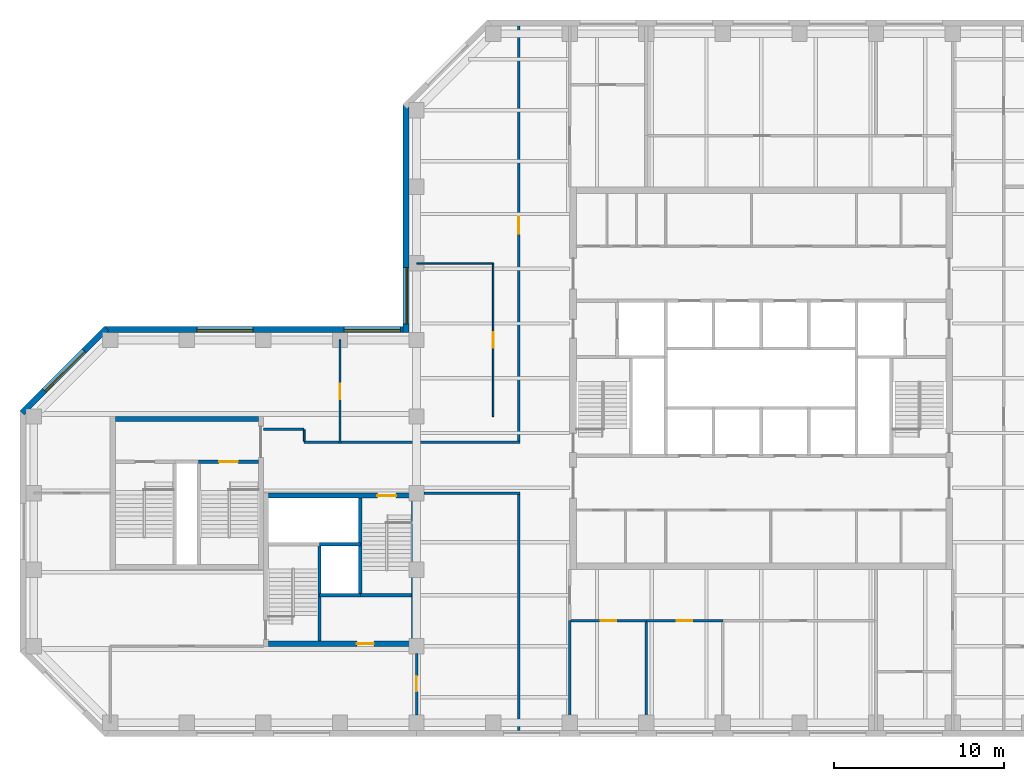
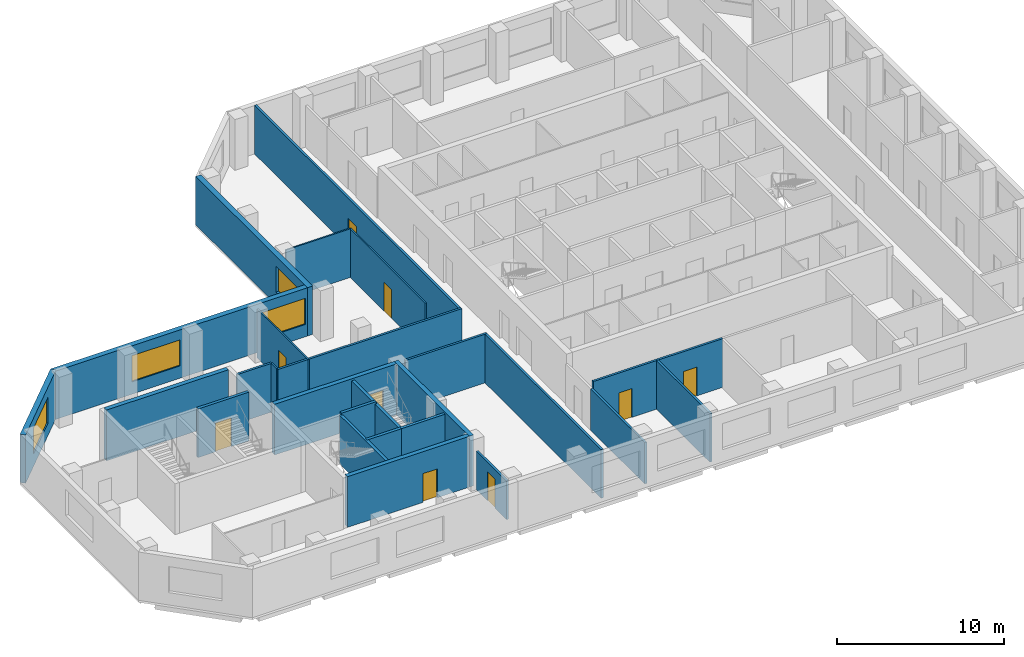
# One storey, part 3 of 9: 27 walls, 9 doors, 4 windows, 13 openings.
"""IFC4 building model written with IfcOpenShell, lengths in metres."""

from ifc_helpers import new_model, si_unit, direction, frame, frame_2d, origin, place, context, subcontext, project, spatial, rectangle, extrude, material, layer, layer_set, constituent, constituent_set, type_object, element, fill, save


model = new_model("IFC4")

# Units and contexts
model_context = context("Model", 3, precision=1e-05, world=origin(), true_north=direction((0.0, 1.0)))
body_context = subcontext(model_context, "Body", "Model", "MODEL_VIEW")
ifc_project = project(units=[si_unit("LENGTHUNIT", "METRE"), si_unit("AREAUNIT", "SQUARE_METRE"), si_unit("VOLUMEUNIT", "CUBIC_METRE"), si_unit("PLANEANGLEUNIT", "RADIAN"), si_unit("MASSUNIT", "GRAM", prefix="KILO")], contexts=[model_context])

# Site, building, storey
site_placement = place(None, origin())
site = spatial("IfcSite", under=ifc_project, at=site_placement, CompositionType="ELEMENT")
building_placement = place(site_placement, origin())
building = spatial("IfcBuilding", under=site, at=building_placement, Name="Quoin Convention Tower", CompositionType="ELEMENT")
storey_placement = place(building_placement, frame((0.0, 0.0, 177.300048828125)))
storey = spatial("IfcBuildingStorey", under=building, at=storey_placement, Name="L46", CompositionType="ELEMENT", Elevation=177.300048828125)

# Wall, opening, door
ifc_material_1 = material(Name="Plasterboard")
ifc_layer_1 = layer(ifc_material_1, 0.012451171875, Name="Finish")
ifc_material_2 = material(Name="Steel stud framing", Category="steel")
ifc_layer_2 = layer(ifc_material_2, 0.125, Name="Structure")
ifc_layer_3 = layer(ifc_material_1, 0.012451171875, Name="Finish")
ifc_layer_set_1 = layer_set([ifc_layer_1, ifc_layer_2, ifc_layer_3], Name="Steel stud framing")
wall_type_1 = type_object("IfcWallType", Name="Acoustic partition 150", PredefinedType="PARTITIONING", material=ifc_layer_set_1)
wall_1_placement = place(storey_placement, frame((45.074951171875, 46.5, 0.0), z_axis=(0.0, 0.0, 1.0), x_axis=(1.0, 0.0, 0.0)))
wall_1 = element("IfcWall", 1, at=wall_1_placement, inside=storey, type_object=wall_type_1, Name="pw-L46-004", PredefinedType="PARTITIONING", context=body_context, shape_type="SweptSolid", body=[
    extrude(rectangle(XDim=4.425048828125, YDim=0.14990234375, at=frame_2d((2.21240234375, 0.0))), origin(), (0.0, 0.0, 1.0), 3.550048828125),
])
opening_1_placement = place(wall_1_placement, frame((1.75, 0.0, 0.0)))
opening_1 = element("IfcOpeningElement", 2, at=opening_1_placement, cuts=wall_1, Name="Opening DOH5-03", PredefinedType="OPENING", context=body_context, shape_type="SweptSolid", body=[
    extrude(rectangle(XDim=0.89990234375, YDim=2.10009765625, at=frame_2d((0.449951171875, 1.050048828125))), frame((0.0, 0.0849609375, 0.0), z_axis=(0.0, -1.0, 0.0), x_axis=(1.0, 0.0, 0.0)), (0.0, 0.0, 1.0), 0.169921875),
])
ifc_material_3 = material(Name="Steel door leaf", Category="steel")
door_type_1 = type_object("IfcDoorType", Name="Office door 900 x 2100", OperationType="SINGLE_SWING_RIGHT", PredefinedType="DOOR", material=ifc_material_3)
door_1_placement = place(opening_1_placement, frame((0.89990234375, 0.0, 0.0), z_axis=(0.0, 0.0, 1.0), x_axis=(-1.0, 0.0, 0.0)))
door_1 = element("IfcDoor", 3, at=door_1_placement, inside=storey, type_object=door_type_1, Name="dr-L46-08", OperationType="SINGLE_SWING_LEFT", OverallHeight=2.10009765625, OverallWidth=0.89990234375, PredefinedType="DOOR", context=body_context, shape_type="SweptSolid", body=[
    extrude(rectangle(XDim=0.89990234375, YDim=2.10009765625, at=frame_2d((0.449951171875, 1.050048828125))), frame((0.0, 0.02490234375, 0.0), z_axis=(0.0, -1.0, 0.0), x_axis=(1.0, 0.0, 0.0)), (0.0, 0.0, 1.0), 0.050048828125),
])
fill(opening_1, door_1)

wall_2_placement = place(storey_placement, frame((49.5, 46.5, 0.0), z_axis=(0.0, 0.0, 1.0), x_axis=(1.0, 0.0, 0.0)))
wall_2 = element("IfcWall", 4, at=wall_2_placement, inside=storey, type_object=wall_type_1, Name="pw-L46-005", PredefinedType="PARTITIONING", context=body_context, shape_type="SweptSolid", body=[
    extrude(rectangle(XDim=4.5, YDim=0.14990234375, at=frame_2d((2.25, 0.0))), origin(), (0.0, 0.0, 1.0), 3.550048828125),
])
opening_2_placement = place(wall_2_placement, frame((1.800048828125, 0.0, 0.0)))
opening_2 = element("IfcOpeningElement", 5, at=opening_2_placement, cuts=wall_2, Name="Opening DOH5-04", PredefinedType="OPENING", context=body_context, shape_type="SweptSolid", body=[
    extrude(rectangle(XDim=0.89990234375, YDim=2.10009765625, at=frame_2d((0.449951171875, 1.050048828125))), frame((0.0, 0.0849609375, 0.0), z_axis=(0.0, -1.0, 0.0), x_axis=(1.0, 0.0, 0.0)), (0.0, 0.0, 1.0), 0.169921875),
])
door_2_placement = place(opening_2_placement, frame((0.89990234375, 0.0, 0.0), z_axis=(0.0, 0.0, 1.0), x_axis=(-1.0, 0.0, 0.0)))
door_2 = element("IfcDoor", 6, at=door_2_placement, inside=storey, type_object=door_type_1, Name="dr-L46-09", OperationType="SINGLE_SWING_LEFT", OverallHeight=2.10009765625, OverallWidth=0.89990234375, PredefinedType="DOOR", context=body_context, shape_type="SweptSolid", body=[
    extrude(rectangle(XDim=0.89990234375, YDim=2.10009765625, at=frame_2d((0.449951171875, 1.050048828125))), frame((0.0, 0.02490234375, 0.0), z_axis=(0.0, -1.0, 0.0), x_axis=(1.0, 0.0, 0.0)), (0.0, 0.0, 1.0), 0.050048828125),
])
fill(opening_2, door_2)

# Wall
wall_3_placement = place(storey_placement, frame((49.5, 40.050048828125, 0.0), z_axis=(0.0, 0.0, 1.0), x_axis=(0.0, 1.0, 0.0)))
element("IfcWall", 7, at=wall_3_placement, inside=storey, type_object=wall_type_1, Name="pw-L46-028", PredefinedType="PARTITIONING", context=body_context, shape_type="SweptSolid", body=[
    extrude(rectangle(XDim=6.375, YDim=0.14990234375, at=frame_2d((3.1875, 0.0))), origin(), (0.0, 0.0, 1.0), 3.550048828125),
])

# Wall, opening, window
ifc_material_4 = material(Name="Brick masonry", Category="masonry")
ifc_layer_4 = layer(ifc_material_4, 0.35009765625)
ifc_layer_set_2 = layer_set([ifc_layer_4], Name="Brick masonry")
wall_type_2 = type_object("IfcWallType", Name="Brick facade wall", PredefinedType="STANDARD", material=ifc_layer_set_2)
wall_4_placement = place(storey_placement, frame((35.375, 76.831298828125, 0.0), z_axis=(0.0, 0.0, 1.0), x_axis=(0.0, -1.0, 0.0)))
wall_4 = element("IfcWall", 8, at=wall_4_placement, inside=storey, type_object=wall_type_2, Name="fw-L46-36000_76500", PredefinedType="STANDARD", context=body_context, shape_type="SweptSolid", body=[
    extrude(rectangle(XDim=13.38134765625, YDim=0.35009765625, at=frame_2d((6.690673828125, 0.0))), origin(), (0.0, 0.0, 1.0), 3.52490234375),
])
opening_3_placement = place(wall_4_placement, frame((9.581298828125, 0.0, 0.89990234375)))
opening_3 = element("IfcOpeningElement", 9, at=opening_3_placement, cuts=wall_4, Name="Opening W-02", PredefinedType="OPENING", context=body_context, shape_type="SweptSolid", body=[
    extrude(rectangle(XDim=3.300048828125, YDim=1.89990234375, at=frame_2d((1.64990234375, 0.949951171875))), frame((0.0, 0.18505859375, 0.0), z_axis=(0.0, -1.0, 0.0), x_axis=(1.0, 0.0, 0.0)), (0.0, 0.0, 1.0), 0.3701171875),
])
ifc_material_5 = material(Name="Aluminium", Category="aluminium")
ifc_constituent_1 = constituent(ifc_material_5, Name="Frame")
ifc_material_6 = material(Name="Insulated glass", Category="glass")
ifc_constituent_2 = constituent(ifc_material_6, Name="Glazing")
ifc_constituent_set = constituent_set(constituents=[ifc_constituent_1, ifc_constituent_2], Name="Aluminium")
window_type = type_object("IfcWindowType", Name="Office window", PartitioningType="DOUBLE_PANEL_VERTICAL", PredefinedType="WINDOW", material=ifc_constituent_set)
window_1_placement = place(opening_3_placement, origin())
window_1 = element("IfcWindow", 10, at=window_1_placement, inside=storey, type_object=window_type, Name="win-L46-35375_65250", OverallHeight=1.89990234375, OverallWidth=3.300048828125, PartitioningType="SINGLE_PANEL", PredefinedType="WINDOW", context=body_context, shape_type="SweptSolid", body=[
    extrude(rectangle(XDim=3.300048828125, YDim=1.89990234375, at=frame_2d((1.64990234375, 0.949951171875))), frame((0.0, 0.0849609375, 0.0), z_axis=(0.0, -1.0, 0.0), x_axis=(1.0, 0.0, 0.0)), (0.0, 0.0, 1.0), 0.06005859375),
])
fill(opening_3, window_1)

# Wall, openings, windows
wall_5_placement = place(storey_placement, frame((35.550048828125, 63.625, 0.0), z_axis=(0.0, 0.0, 1.0), x_axis=(-1.0, 0.0, 0.0)))
wall_5 = element("IfcWall", 11, at=wall_5_placement, inside=storey, type_object=wall_type_2, Name="fw-L46-36000_63000", PredefinedType="STANDARD", context=body_context, shape_type="SweptSolid", body=[
    extrude(rectangle(XDim=17.88134765625, YDim=0.35009765625, at=frame_2d((8.940673828125, 0.0))), origin(), (0.0, 0.0, 1.0), 3.52490234375),
])
opening_4_placement = place(wall_5_placement, frame((0.5, 0.0, 0.89990234375)))
opening_4 = element("IfcOpeningElement", 12, at=opening_4_placement, cuts=wall_5, Name="Opening W-02", PredefinedType="OPENING", context=body_context, shape_type="SweptSolid", body=[
    extrude(rectangle(XDim=3.300048828125, YDim=1.89990234375, at=frame_2d((1.64990234375, 0.949951171875))), frame((0.0, 0.18505859375, 0.0), z_axis=(0.0, -1.0, 0.0), x_axis=(1.0, 0.0, 0.0)), (0.0, 0.0, 1.0), 0.3701171875),
])
opening_5_placement = place(wall_5_placement, frame((9.14990234375, 0.0, 0.89990234375)))
opening_5 = element("IfcOpeningElement", 13, at=opening_5_placement, cuts=wall_5, Name="Opening W-02", PredefinedType="OPENING", context=body_context, shape_type="SweptSolid", body=[
    extrude(rectangle(XDim=3.300048828125, YDim=1.89990234375, at=frame_2d((1.64990234375, 0.949951171875))), frame((0.0, 0.18505859375, 0.0), z_axis=(0.0, -1.0, 0.0), x_axis=(1.0, 0.0, 0.0)), (0.0, 0.0, 1.0), 0.3701171875),
])
window_2_placement = place(opening_4_placement, origin())
window_2 = element("IfcWindow", 14, at=window_2_placement, inside=storey, type_object=window_type, Name="win-L46-33750_63625", OverallHeight=1.89990234375, OverallWidth=3.300048828125, PartitioningType="SINGLE_PANEL", PredefinedType="WINDOW", context=body_context, shape_type="SweptSolid", body=[
    extrude(rectangle(XDim=3.300048828125, YDim=1.89990234375, at=frame_2d((1.64990234375, 0.949951171875))), frame((0.0, 0.0849609375, 0.0), z_axis=(0.0, -1.0, 0.0), x_axis=(1.0, 0.0, 0.0)), (0.0, 0.0, 1.0), 0.06005859375),
])
fill(opening_4, window_2)
window_3_placement = place(opening_5_placement, origin())
window_3 = element("IfcWindow", 15, at=window_3_placement, inside=storey, type_object=window_type, Name="win-L46-24750_63625", OverallHeight=1.89990234375, OverallWidth=3.300048828125, PartitioningType="SINGLE_PANEL", PredefinedType="WINDOW", context=body_context, shape_type="SweptSolid", body=[
    extrude(rectangle(XDim=3.300048828125, YDim=1.89990234375, at=frame_2d((1.64990234375, 0.949951171875))), frame((0.0, 0.0849609375, 0.0), z_axis=(0.0, -1.0, 0.0), x_axis=(1.0, 0.0, 0.0)), (0.0, 0.0, 1.0), 0.06005859375),
])
fill(opening_5, window_3)

# Wall, opening, window
wall_6_placement = place(storey_placement, frame((17.79248046875, 63.67626953125, 0.0), z_axis=(0.0, 0.0, 1.0), x_axis=(-0.707106781187, -0.707106781187, 0.0)))
wall_6 = element("IfcWall", 16, at=wall_6_placement, inside=storey, type_object=wall_type_2, Name="fw-L46-18000_63000", PredefinedType="STANDARD", context=body_context, shape_type="SweptSolid", body=[
    extrude(rectangle(XDim=7.02685546875, YDim=0.35009765625, at=frame_2d((3.513427734375, 0.0))), origin(), (0.0, 0.0, 1.0), 3.52490234375),
])
opening_6_placement = place(wall_6_placement, frame((1.86328125, 0.0, 0.89990234375)))
opening_6 = element("IfcOpeningElement", 17, at=opening_6_placement, cuts=wall_6, Name="Opening W-02", PredefinedType="OPENING", context=body_context, shape_type="SweptSolid", body=[
    extrude(rectangle(XDim=3.300048828125, YDim=1.89990234375, at=frame_2d((1.64990234375, 0.949951171875))), frame((0.0, 0.18505859375, 0.0), z_axis=(0.0, -1.0, 0.0), x_axis=(1.0, 0.0, 0.0)), (0.0, 0.0, 1.0), 0.3701171875),
])
window_4_placement = place(opening_6_placement, origin())
window_4 = element("IfcWindow", 18, at=window_4_placement, inside=storey, type_object=window_type, Name="win-L46-15308_61192", OverallHeight=1.89990234375, OverallWidth=3.300048828125, PartitioningType="SINGLE_PANEL", PredefinedType="WINDOW", context=body_context, shape_type="SweptSolid", body=[
    extrude(rectangle(XDim=3.300048828125, YDim=1.89990234375, at=frame_2d((1.64990234375, 0.949951171875))), frame((0.0, 0.0849609375, 0.0), z_axis=(0.0, -1.0, 0.0), x_axis=(1.0, 0.0, 0.0)), (0.0, 0.0, 1.0), 0.06005859375),
])
fill(opening_6, window_4)

# Walls
ifc_material_7 = material(Name="Concrete C50", Category="concrete")
ifc_layer_5 = layer(ifc_material_7, 0.199951171875)
ifc_layer_set_3 = layer_set([ifc_layer_5], Name="Concrete C50")
wall_type_3 = type_object("IfcWallType", Name="Core shaft wall", PredefinedType="SOLIDWALL", material=ifc_layer_set_3)
wall_7_placement = place(storey_placement, frame((30.300048828125, 48.0, 0.0), z_axis=(0.0, 0.0, 1.0), x_axis=(1.0, 0.0, 0.0)))
element("IfcWall", 19, at=wall_7_placement, inside=storey, type_object=wall_type_3, Name="cr-P2-L46-h3000_3300", PredefinedType="SOLIDWALL", context=body_context, shape_type="SweptSolid", body=[
    extrude(rectangle(XDim=2.39990234375, YDim=0.199951171875, at=frame_2d((1.199951171875, 0.0))), origin(), (0.0, 0.0, 1.0), 3.550048828125),
])
wall_8_placement = place(storey_placement, frame((32.699951171875, 48.0, 0.0), z_axis=(0.0, 0.0, 1.0), x_axis=(1.0, 0.0, 0.0)))
element("IfcWall", 20, at=wall_8_placement, inside=storey, type_object=wall_type_3, Name="cr-P2-L46-h3000_5700", PredefinedType="SOLIDWALL", context=body_context, shape_type="SweptSolid", body=[
    extrude(rectangle(XDim=3.0, YDim=0.199951171875, at=frame_2d((1.5, 0.0))), origin(), (0.0, 0.0, 1.0), 3.550048828125),
])
for number, where, z_axis, x_axis, name in (
    (21, (30.300048828125, 45.300048828125, 0.0), (0.0, 0.0, 1.0), (0.0, 1.0, 0.0), "cr-P2-L46-v3300_300"),
    (22, (32.699951171875, 48.0, 0.0), (0.0, 0.0, 1.0), (0.0, 1.0, 0.0), "cr-P2-L46-v5700_3000"),
):
    element("IfcWall", number, at=place(storey_placement, frame(where, z_axis=z_axis, x_axis=x_axis)), inside=storey, type_object=wall_type_3, Name=name, PredefinedType="SOLIDWALL", context=body_context, shape_type="SweptSolid", body=[
        extrude(rectangle(XDim=5.699951171875, YDim=0.199951171875, at=frame_2d((2.85009765625, 0.0))), origin(), (0.0, 0.0, 1.0), 3.550048828125),
    ])

# Wall, opening, door
wall_9_placement = place(storey_placement, frame((23.199951171875, 55.85009765625, 0.0), z_axis=(0.0, 0.0, 1.0), x_axis=(1.0, 0.0, 0.0)))
wall_9 = element("IfcWall", 23, at=wall_9_placement, inside=storey, type_object=wall_type_3, Name="cr-P6-L46-h6350_5200", PredefinedType="SOLIDWALL", context=body_context, shape_type="SweptSolid", body=[
    extrude(rectangle(XDim=3.5, YDim=0.199951171875, at=frame_2d((1.75, 0.0))), origin(), (0.0, 0.0, 1.0), 3.550048828125),
])
opening_7_placement = place(wall_9_placement, frame((1.199951171875, 0.0, 0.0)))
opening_7 = element("IfcOpeningElement", 24, at=opening_7_placement, cuts=wall_9, Name="Opening SD12", PredefinedType="OPENING", context=body_context, shape_type="SweptSolid", body=[
    extrude(rectangle(XDim=1.10009765625, YDim=2.10009765625, at=frame_2d((0.550048828125, 1.050048828125))), frame((0.0, 0.10986328125, 0.0), z_axis=(0.0, -1.0, 0.0), x_axis=(1.0, 0.0, 0.0)), (0.0, 0.0, 1.0), 0.219970703125),
])
door_type_2 = type_object("IfcDoorType", Name="Stair door 1100 x 2100", OperationType="SINGLE_SWING_RIGHT", PredefinedType="DOOR", material=ifc_material_3)
door_3_placement = place(opening_7_placement, origin())
door_3 = element("IfcDoor", 25, at=door_3_placement, inside=storey, type_object=door_type_2, Name="cd-P6-L46-SB-R2-SD12", OperationType="SINGLE_SWING_RIGHT", OverallHeight=2.10009765625, OverallWidth=1.10009765625, PredefinedType="DOOR", context=body_context, shape_type="SweptSolid", body=[
    extrude(rectangle(XDim=1.10009765625, YDim=2.10009765625, at=frame_2d((0.550048828125, 1.050048828125))), frame((0.0, 0.02490234375, 0.0), z_axis=(0.0, -1.0, 0.0), x_axis=(1.0, 0.0, 0.0)), (0.0, 0.0, 1.0), 0.050048828125),
])
fill(opening_7, door_3)

# Walls
ifc_layer_6 = layer(ifc_material_7, 0.199951171875)
ifc_layer_set_4 = layer_set([ifc_layer_6], Name="Concrete C50")
wall_type_4 = type_object("IfcWallType", Name="Core shaft wall to the floor level over", PredefinedType="SOLIDWALL", material=ifc_layer_set_4)
wall_10_placement = place(storey_placement, frame((30.300048828125, 51.0, 0.0), z_axis=(0.0, 0.0, 1.0), x_axis=(1.0, 0.0, 0.0)))
element("IfcWall", 26, at=wall_10_placement, inside=storey, type_object=wall_type_4, Name="cr-P2-L46-h6000_3300", PredefinedType="SOLIDWALL", context=body_context, shape_type="SweptSolid", body=[
    extrude(rectangle(XDim=2.39990234375, YDim=0.199951171875, at=frame_2d((1.199951171875, 0.0))), origin(), (0.0, 0.0, 1.0), 3.699951171875),
])
ifc_layer_7 = layer(ifc_material_1, 0.012451171875, Name="Finish")
ifc_layer_8 = layer(ifc_material_2, 0.125, Name="Structure")
ifc_layer_9 = layer(ifc_material_1, 0.012451171875, Name="Finish")
ifc_layer_set_5 = layer_set([ifc_layer_7, ifc_layer_8, ifc_layer_9], Name="Steel stud framing")
wall_type_5 = type_object("IfcWallType", Name="Corridor wall 150", PredefinedType="PARTITIONING", material=ifc_layer_set_5)
wall_11_placement = place(storey_placement, frame((36.449951171875, 54.0, 0.0), z_axis=(0.0, 0.0, 1.0), x_axis=(1.0, 0.0, 0.0)))
element("IfcWall", 27, at=wall_11_placement, inside=storey, type_object=wall_type_5, Name="pw-L46-011", PredefinedType="PARTITIONING", context=body_context, shape_type="SweptSolid", body=[
    extrude(rectangle(XDim=5.625, YDim=0.14990234375, at=frame_2d((2.8125, 0.0))), origin(), (0.0, 0.0, 1.0), 3.550048828125),
])
wall_12_placement = place(storey_placement, frame((29.3798828125, 57.0, 0.0), z_axis=(0.0, 0.0, 1.0), x_axis=(1.0, 0.0, 0.0)))
element("IfcWall", 28, at=wall_12_placement, inside=storey, type_object=wall_type_5, Name="pw-L46-013", PredefinedType="PARTITIONING", context=body_context, shape_type="SweptSolid", body=[
    extrude(rectangle(XDim=12.695068359375, YDim=0.14990234375, at=frame_2d((6.34765625, 0.0))), origin(), (0.0, 0.0, 1.0), 3.550048828125),
])
wall_13_placement = place(storey_placement, frame((42.0, 40.050048828125, 0.0), z_axis=(0.0, 0.0, 1.0), x_axis=(0.0, 1.0, 0.0)))
element("IfcWall", 29, at=wall_13_placement, inside=storey, type_object=wall_type_5, Name="pw-L46-026", PredefinedType="PARTITIONING", context=body_context, shape_type="SweptSolid", body=[
    extrude(rectangle(XDim=13.875, YDim=0.14990234375, at=frame_2d((6.9375, 0.0))), origin(), (0.0, 0.0, 1.0), 3.550048828125),
])

# Wall, opening, door
wall_14_placement = place(storey_placement, frame((42.0, 57.074951171875, 0.0), z_axis=(0.0, 0.0, 1.0), x_axis=(0.0, 1.0, 0.0)))
wall_14 = element("IfcWall", 30, at=wall_14_placement, inside=storey, type_object=wall_type_5, Name="pw-L46-045", PredefinedType="PARTITIONING", context=body_context, shape_type="SweptSolid", body=[
    extrude(rectangle(XDim=24.375, YDim=0.14990234375, at=frame_2d((12.1875, 0.0))), origin(), (0.0, 0.0, 1.0), 3.550048828125),
])
opening_8_placement = place(wall_14_placement, frame((12.175048828125, 0.0, 0.0)))
opening_8 = element("IfcOpeningElement", 31, at=opening_8_placement, cuts=wall_14, Name="Opening DOH5-17", PredefinedType="OPENING", context=body_context, shape_type="SweptSolid", body=[
    extrude(rectangle(XDim=1.0, YDim=2.10009765625, at=frame_2d((0.5, 1.050048828125))), frame((0.0, 0.0849609375, 0.0), z_axis=(0.0, -1.0, 0.0), x_axis=(1.0, 0.0, 0.0)), (0.0, 0.0, 1.0), 0.169921875),
])
door_type_3 = type_object("IfcDoorType", Name="Tenancy entrance door 1000 x 2100", OperationType="DOUBLE_DOOR_SINGLE_SWING", PredefinedType="DOOR", material=ifc_material_3)
door_4_placement = place(opening_8_placement, origin())
door_4 = element("IfcDoor", 32, at=door_4_placement, inside=storey, type_object=door_type_3, Name="dr-L46-w01", OperationType="DOUBLE_DOOR_SINGLE_SWING", OverallHeight=2.10009765625, OverallWidth=1.0, PredefinedType="DOOR", context=body_context, shape_type="SweptSolid", body=[
    extrude(rectangle(XDim=1.0, YDim=2.10009765625, at=frame_2d((0.5, 1.050048828125))), frame((0.0, 0.02490234375, 0.0), z_axis=(0.0, -1.0, 0.0), x_axis=(1.0, 0.0, 0.0)), (0.0, 0.0, 1.0), 0.050048828125),
])
fill(opening_8, door_4)

# Walls
wall_15_placement = place(storey_placement, frame((27.0, 57.75, 0.0), z_axis=(0.0, 0.0, 1.0), x_axis=(1.0, 0.0, 0.0)))
element("IfcWall", 33, at=wall_15_placement, inside=storey, type_object=wall_type_5, Name="pw-L46-w07", PredefinedType="PARTITIONING", context=body_context, shape_type="SweptSolid", body=[
    extrude(rectangle(XDim=2.39990234375, YDim=0.14990234375, at=frame_2d((1.199951171875, 0.0))), origin(), (0.0, 0.0, 1.0), 3.550048828125),
])
ifc_layer_10 = layer(ifc_material_1, 0.012451171875, Name="Finish")
ifc_layer_11 = layer(ifc_material_2, 0.125, Name="Structure")
ifc_layer_12 = layer(ifc_material_1, 0.012451171875, Name="Finish")
ifc_layer_set_6 = layer_set([ifc_layer_10, ifc_layer_11, ifc_layer_12], Name="Steel stud framing")
wall_type_6 = type_object("IfcWallType", Name="Corridor wall 150 under beam 528", PredefinedType="PARTITIONING", material=ifc_layer_set_6)
wall_16_placement = place(storey_placement, frame((45.0, 40.050048828125, 0.0), z_axis=(0.0, 0.0, 1.0), x_axis=(0.0, 1.0, 0.0)))
element("IfcWall", 34, at=wall_16_placement, inside=storey, type_object=wall_type_6, Name="pw-L46-027", PredefinedType="PARTITIONING", context=body_context, shape_type="SweptSolid", body=[
    extrude(rectangle(XDim=6.449951171875, YDim=0.14990234375, at=frame_2d((3.22509765625, 0.0))), origin(), (0.0, 0.0, 1.0), 3.02197265625),
])

# Wall, opening, door
ifc_layer_13 = layer(ifc_material_1, 0.012451171875, Name="Finish")
ifc_layer_14 = layer(ifc_material_2, 0.125, Name="Structure")
ifc_layer_15 = layer(ifc_material_1, 0.012451171875, Name="Finish")
ifc_layer_set_7 = layer_set([ifc_layer_13, ifc_layer_14, ifc_layer_15], Name="Steel stud framing")
wall_type_7 = type_object("IfcWallType", Name="Corridor wall 150 under beam 750", PredefinedType="PARTITIONING", material=ifc_layer_set_7)
wall_17_placement = place(storey_placement, frame((36.0, 40.949951171875, 0.0), z_axis=(0.0, 0.0, 1.0), x_axis=(0.0, 1.0, 0.0)))
wall_17 = element("IfcWall", 35, at=wall_17_placement, inside=storey, type_object=wall_type_7, Name="pw-L46-033", PredefinedType="PARTITIONING", context=body_context, shape_type="SweptSolid", body=[
    extrude(rectangle(XDim=3.630126953125, YDim=0.14990234375, at=frame_2d((1.81494140625, 0.0))), origin(), (0.0, 0.0, 1.0), 2.800048828125),
])
opening_9_placement = place(wall_17_placement, frame((1.39990234375, 0.0, 0.0)))
opening_9 = element("IfcOpeningElement", 36, at=opening_9_placement, cuts=wall_17, Name="Opening DOH5-10", PredefinedType="OPENING", context=body_context, shape_type="SweptSolid", body=[
    extrude(rectangle(XDim=0.89990234375, YDim=2.10009765625, at=frame_2d((0.449951171875, 1.050048828125))), frame((0.0, 0.0849609375, 0.0), z_axis=(0.0, -1.0, 0.0), x_axis=(1.0, 0.0, 0.0)), (0.0, 0.0, 1.0), 0.169921875),
])
door_5_placement = place(opening_9_placement, origin())
door_5 = element("IfcDoor", 37, at=door_5_placement, inside=storey, type_object=door_type_1, Name="dr-L46-01", OperationType="SINGLE_SWING_RIGHT", OverallHeight=2.10009765625, OverallWidth=0.89990234375, PredefinedType="DOOR", context=body_context, shape_type="SweptSolid", body=[
    extrude(rectangle(XDim=0.89990234375, YDim=2.10009765625, at=frame_2d((0.449951171875, 1.050048828125))), frame((0.0, 0.02490234375, 0.0), z_axis=(0.0, -1.0, 0.0), x_axis=(1.0, 0.0, 0.0)), (0.0, 0.0, 1.0), 0.050048828125),
])
fill(opening_9, door_5)

ifc_layer_16 = layer(ifc_material_7, 0.300048828125)
ifc_layer_set_8 = layer_set([ifc_layer_16], Name="Concrete C50")
wall_type_8 = type_object("IfcWallType", Name="RC CORE WALL 300 C50", PredefinedType="SHEAR", material=ifc_layer_set_8)
wall_18_placement = place(storey_placement, frame((27.300048828125, 45.14990234375, 0.0), z_axis=(0.0, 0.0, 1.0), x_axis=(1.0, 0.0, 0.0)))
wall_18 = element("IfcWall", 38, at=wall_18_placement, inside=storey, type_object=wall_type_8, Name="cwl-P2-L46-S", PredefinedType="SHEAR", context=body_context, shape_type="SweptSolid", body=[
    extrude(rectangle(XDim=8.39990234375, YDim=0.300048828125, at=frame_2d((4.199951171875, 0.0))), origin(), (0.0, 0.0, 1.0), 3.699951171875),
])
opening_10_placement = place(wall_18_placement, frame((5.199951171875, 0.0, 0.0)))
opening_10 = element("IfcOpeningElement", 39, at=opening_10_placement, cuts=wall_18, Name="Opening DCV4-42", PredefinedType="OPENING", context=body_context, shape_type="SweptSolid", body=[
    extrude(rectangle(XDim=1.0, YDim=2.10009765625, at=frame_2d((0.5, 1.050048828125))), frame((0.0, 0.159912109375, 0.0), z_axis=(0.0, -1.0, 0.0), x_axis=(1.0, 0.0, 0.0)), (0.0, 0.0, 1.0), 0.320068359375),
])
door_type_4 = type_object("IfcDoorType", Name="Service door 1000 x 2100", OperationType="SINGLE_SWING_LEFT", PredefinedType="DOOR", material=ifc_material_3)
door_6_placement = place(opening_10_placement, frame((1.0, 0.0, 0.0), z_axis=(0.0, 0.0, 1.0), x_axis=(-1.0, 0.0, 0.0)))
door_6 = element("IfcDoor", 40, at=door_6_placement, inside=storey, type_object=door_type_4, Name="cd-P2-L46-R2-S", OperationType="SINGLE_SWING_LEFT", OverallHeight=2.10009765625, OverallWidth=1.0, PredefinedType="DOOR", context=body_context, shape_type="SweptSolid", body=[
    extrude(rectangle(XDim=1.0, YDim=2.10009765625, at=frame_2d((0.5, 1.050048828125))), frame((0.0, 0.02490234375, 0.0), z_axis=(0.0, -1.0, 0.0), x_axis=(1.0, 0.0, 0.0)), (0.0, 0.0, 1.0), 0.050048828125),
])
fill(opening_10, door_6)

wall_19_placement = place(storey_placement, frame((27.300048828125, 53.85009765625, 0.0), z_axis=(0.0, 0.0, 1.0), x_axis=(1.0, 0.0, 0.0)))
wall_19 = element("IfcWall", 41, at=wall_19_placement, inside=storey, type_object=wall_type_8, Name="cwl-P2-L46-N", PredefinedType="SHEAR", context=body_context, shape_type="SweptSolid", body=[
    extrude(rectangle(XDim=8.39990234375, YDim=0.300048828125, at=frame_2d((4.199951171875, 0.0))), origin(), (0.0, 0.0, 1.0), 3.699951171875),
])
opening_11_placement = place(wall_19_placement, frame((6.39990234375, 0.0, 0.0)))
opening_11 = element("IfcOpeningElement", 42, at=opening_11_placement, cuts=wall_19, Name="Opening SD4", PredefinedType="OPENING", context=body_context, shape_type="SweptSolid", body=[
    extrude(rectangle(XDim=1.10009765625, YDim=2.10009765625, at=frame_2d((0.550048828125, 1.050048828125))), frame((0.0, 0.159912109375, 0.0), z_axis=(0.0, -1.0, 0.0), x_axis=(1.0, 0.0, 0.0)), (0.0, 0.0, 1.0), 0.320068359375),
])
door_7_placement = place(opening_11_placement, frame((1.10009765625, 0.0, 0.0), z_axis=(0.0, 0.0, 1.0), x_axis=(-1.0, 0.0, 0.0)))
door_7 = element("IfcDoor", 43, at=door_7_placement, inside=storey, type_object=door_type_2, Name="cd-P2-L46-SB-N", OperationType="SINGLE_SWING_LEFT", OverallHeight=2.10009765625, OverallWidth=1.10009765625, PredefinedType="DOOR", context=body_context, shape_type="SweptSolid", body=[
    extrude(rectangle(XDim=1.10009765625, YDim=2.10009765625, at=frame_2d((0.550048828125, 1.050048828125))), frame((0.0, 0.02490234375, 0.0), z_axis=(0.0, -1.0, 0.0), x_axis=(1.0, 0.0, 0.0)), (0.0, 0.0, 1.0), 0.050048828125),
])
fill(opening_11, door_7)

# Walls
wall_20_placement = place(storey_placement, frame((35.85009765625, 45.0, 0.0), z_axis=(0.0, 0.0, 1.0), x_axis=(0.0, 1.0, 0.0)))
element("IfcWall", 44, at=wall_20_placement, inside=storey, type_object=wall_type_8, Name="cwl-P2-L46-E", PredefinedType="SHEAR", context=body_context, shape_type="SweptSolid", body=[
    extrude(rectangle(XDim=9.0, YDim=0.300048828125, at=frame_2d((4.5, 0.0))), origin(), (0.0, 0.0, 1.0), 3.699951171875),
])
wall_21_placement = place(storey_placement, frame((18.300048828125, 58.35009765625, 0.0), z_axis=(0.0, 0.0, 1.0), x_axis=(1.0, 0.0, 0.0)))
element("IfcWall", 45, at=wall_21_placement, inside=storey, type_object=wall_type_8, Name="cwl-P6-L46-N", PredefinedType="SHEAR", context=body_context, shape_type="SweptSolid", body=[
    extrude(rectangle(XDim=8.39990234375, YDim=0.300048828125, at=frame_2d((4.199951171875, 0.0))), origin(), (0.0, 0.0, 1.0), 3.699951171875),
])
ifc_layer_17 = layer(ifc_material_1, 0.012451171875, Name="Finish")
ifc_layer_18 = layer(ifc_material_2, 0.074951171875, Name="Structure")
ifc_layer_19 = layer(ifc_material_1, 0.012451171875, Name="Finish")
ifc_layer_set_9 = layer_set([ifc_layer_17, ifc_layer_18, ifc_layer_19], Name="Steel stud framing")
wall_type_9 = type_object("IfcWallType", Name="Stud partition 100", PredefinedType="PARTITIONING", material=ifc_layer_set_9)
wall_22_placement = place(storey_placement, frame((36.0, 67.5, 0.0), z_axis=(0.0, 0.0, 1.0), x_axis=(1.0, 0.0, 0.0)))
element("IfcWall", 46, at=wall_22_placement, inside=storey, type_object=wall_type_9, Name="pw-L46-w01", PredefinedType="PARTITIONING", context=body_context, shape_type="SweptSolid", body=[
    extrude(rectangle(XDim=4.5, YDim=0.10009765625, at=frame_2d((2.25, 0.0))), origin(), (0.0, 0.0, 1.0), 3.550048828125),
])

# Wall, opening, door
wall_23_placement = place(storey_placement, frame((40.5, 67.5, 0.0), z_axis=(0.0, 0.0, 1.0), x_axis=(0.0, -1.0, 0.0)))
wall_23 = element("IfcWall", 47, at=wall_23_placement, inside=storey, type_object=wall_type_9, Name="pw-L46-w02", PredefinedType="PARTITIONING", context=body_context, shape_type="SweptSolid", body=[
    extrude(rectangle(XDim=9.0, YDim=0.10009765625, at=frame_2d((4.5, 0.0))), origin(), (0.0, 0.0, 1.0), 3.550048828125),
])
opening_12_placement = place(wall_23_placement, frame((4.050048828125, 0.0, 0.0)))
opening_12 = element("IfcOpeningElement", 48, at=opening_12_placement, cuts=wall_23, Name="Opening DOH5-23", PredefinedType="OPENING", context=body_context, shape_type="SweptSolid", body=[
    extrude(rectangle(XDim=0.89990234375, YDim=2.10009765625, at=frame_2d((0.449951171875, 1.050048828125))), frame((0.0, 0.06005859375, 0.0), z_axis=(0.0, -1.0, 0.0), x_axis=(1.0, 0.0, 0.0)), (0.0, 0.0, 1.0), 0.1201171875),
])
door_8_placement = place(opening_12_placement, origin())
door_8 = element("IfcDoor", 49, at=door_8_placement, inside=storey, type_object=door_type_1, Name="dr-L46-w02", OperationType="SINGLE_SWING_LEFT", OverallHeight=2.10009765625, OverallWidth=0.89990234375, PredefinedType="DOOR", context=body_context, shape_type="SweptSolid", body=[
    extrude(rectangle(XDim=0.89990234375, YDim=2.10009765625, at=frame_2d((0.449951171875, 1.050048828125))), frame((0.0, 0.02490234375, 0.0), z_axis=(0.0, -1.0, 0.0), x_axis=(1.0, 0.0, 0.0)), (0.0, 0.0, 1.0), 0.050048828125),
])
fill(opening_12, door_8)

wall_24_placement = place(storey_placement, frame((31.5, 63.0, 0.0), z_axis=(0.0, 0.0, 1.0), x_axis=(0.0, -1.0, 0.0)))
wall_24 = element("IfcWall", 50, at=wall_24_placement, inside=storey, type_object=wall_type_9, Name="pw-L46-w03", PredefinedType="PARTITIONING", context=body_context, shape_type="SweptSolid", body=[
    extrude(rectangle(XDim=6.074951171875, YDim=0.10009765625, at=frame_2d((3.03759765625, 0.0))), origin(), (0.0, 0.0, 1.0), 3.550048828125),
])
opening_13_placement = place(wall_24_placement, frame((2.587890625, 0.0, 0.0)))
opening_13 = element("IfcOpeningElement", 51, at=opening_13_placement, cuts=wall_24, Name="Opening DOH5-24", PredefinedType="OPENING", context=body_context, shape_type="SweptSolid", body=[
    extrude(rectangle(XDim=0.89990234375, YDim=2.10009765625, at=frame_2d((0.449951171875, 1.050048828125))), frame((0.0, 0.06005859375, 0.0), z_axis=(0.0, -1.0, 0.0), x_axis=(1.0, 0.0, 0.0)), (0.0, 0.0, 1.0), 0.1201171875),
])
door_9_placement = place(opening_13_placement, frame((0.89990234375, 0.0, 0.0), z_axis=(0.0, 0.0, 1.0), x_axis=(-1.0, 0.0, 0.0)))
door_9 = element("IfcDoor", 52, at=door_9_placement, inside=storey, type_object=door_type_1, Name="dr-L46-w03", OperationType="SINGLE_SWING_LEFT", OverallHeight=2.10009765625, OverallWidth=0.89990234375, PredefinedType="DOOR", context=body_context, shape_type="SweptSolid", body=[
    extrude(rectangle(XDim=0.89990234375, YDim=2.10009765625, at=frame_2d((0.449951171875, 1.050048828125))), frame((0.0, 0.02490234375, 0.0), z_axis=(0.0, -1.0, 0.0), x_axis=(1.0, 0.0, 0.0)), (0.0, 0.0, 1.0), 0.050048828125),
])
fill(opening_13, door_9)

# Wall
wall_25_placement = place(storey_placement, frame((29.39990234375, 57.715087890625, 0.0), z_axis=(0.0, 0.0, 1.0), x_axis=(0.0, -1.0, 0.0)))
element("IfcWall", 53, at=wall_25_placement, inside=storey, type_object=wall_type_9, Name="pw-L46-w08", PredefinedType="PARTITIONING", context=body_context, shape_type="SweptSolid", body=[
    extrude(rectangle(XDim=0.68017578125, YDim=0.10009765625, at=frame_2d((0.340087890625, 0.0))), origin(), (0.0, 0.0, 1.0), 3.550048828125),
])

save(model, "model.ifc")
